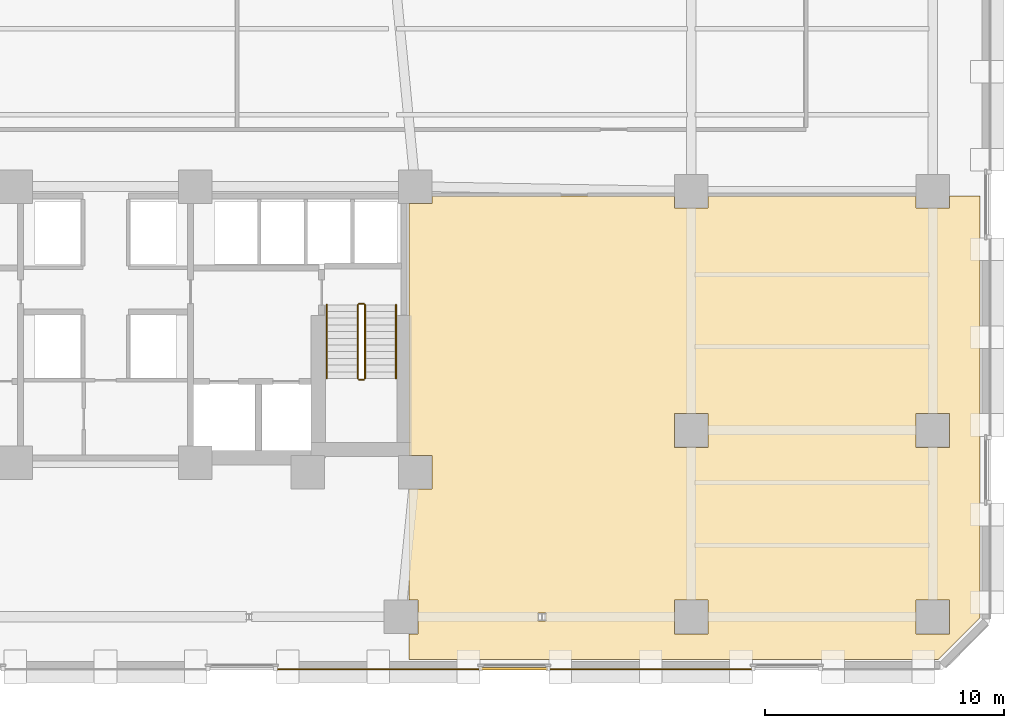
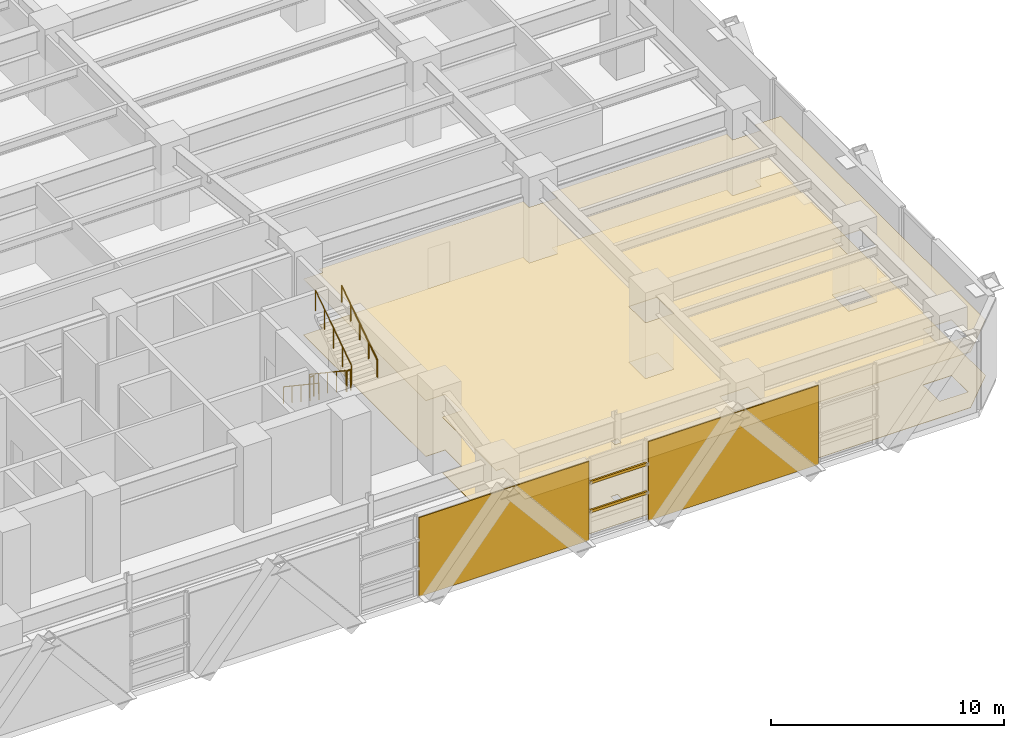
# One storey, part 22 of 26: 6 railings, 4 coverings, 2 shading devices.
"""IFC4 building model written with IfcOpenShell, lengths in metres."""

from ifc_helpers import new_model, si_unit, direction, frame, origin, origin_2d, place, context, subcontext, project, spatial, polyline, rectangle, circle, outline, extrude, material, layer, layer_set, material_profile, profile_set, type_object, element, save


model = new_model("IFC4")

# Units and contexts
model_context = context("Model", 3, precision=1e-05, world=origin(), true_north=direction((0.0, 1.0)))
body_context = subcontext(model_context, "Body", "Model", "MODEL_VIEW")
ifc_project = project(units=[si_unit("LENGTHUNIT", "METRE"), si_unit("AREAUNIT", "SQUARE_METRE"), si_unit("VOLUMEUNIT", "CUBIC_METRE"), si_unit("PLANEANGLEUNIT", "RADIAN"), si_unit("MASSUNIT", "GRAM", prefix="KILO")], contexts=[model_context])

# Site, building, storey
site_placement = place(None, origin())
site = spatial("IfcSite", under=ifc_project, at=site_placement, CompositionType="ELEMENT")
building_placement = place(site_placement, origin())
building = spatial("IfcBuilding", under=site, at=building_placement, Name="Quenlor Broadcast Tower", CompositionType="ELEMENT")
storey_placement = place(building_placement, frame((0.0, 0.0, 14.0)))
storey = spatial("IfcBuildingStorey", under=building, at=storey_placement, Name="L03", CompositionType="ELEMENT", Elevation=14.0)

# Covering
ifc_material_1 = material(Name="Acoustic Mineral Fibre Board", Category="other")
ifc_layer_1 = layer(ifc_material_1, 0.02490234375)
ifc_layer_set_1 = layer_set([ifc_layer_1], Name="Acoustic Perforated Mineral Tile Ceiling 25")
covering_type_1 = type_object("IfcCoveringType", Name="Acoustic Perforated Mineral Tile Ceiling 25", PredefinedType="CEILING", material=ifc_layer_set_1)
covering_1_placement = place(storey_placement, frame((0.0, 0.0, 2.925048828125)))
element("IfcCovering", 1, at=covering_1_placement, inside=storey, type_object=covering_type_1, Name="L03 Acoustic Ceiling L03-33", PredefinedType="CEILING", context=body_context, shape_type="SweptSolid", body=[
    extrude(outline(polyline([(12.699951171875, -24.580078125), (12.699951171875, -23.508056640625), (13.05810546875, -23.508056640625), (13.05810546875, -22.092041015625), (12.699951171875, -22.092041015625), (12.699951171875, -17.4580078125), (13.657958984375, -17.4580078125), (13.657958984375, -16.0419921875), (12.699951171875, -16.0419921875), (12.699951171875, -5.508056640625), (13.657958984375, -5.508056640625), (13.657958984375, -5.199951171875), (23.7919921875, -5.199951171875), (23.7919921875, -5.7080078125), (25.2080078125, -5.7080078125), (25.2080078125, -5.199951171875), (33.89208984375, -5.199951171875), (33.89208984375, -5.7080078125), (35.30810546875, -5.7080078125), (35.30810546875, -5.199951171875), (36.580078125, -5.199951171875), (36.580078125, -22.825927734375), (34.825927734375, -24.580078125), (12.699951171875, -24.580078125)]), holes=[polyline([(35.30810546875, -23.508056640625), (35.30810546875, -22.092041015625), (33.89208984375, -22.092041015625), (33.89208984375, -23.508056640625), (35.30810546875, -23.508056640625)]), polyline([(18.41259765625, -22.96826171875), (18.41259765625, -22.631591796875), (18.08740234375, -22.631591796875), (18.08740234375, -22.96826171875), (18.41259765625, -22.96826171875)]), polyline([(25.2080078125, -23.508056640625), (25.2080078125, -22.092041015625), (23.7919921875, -22.092041015625), (23.7919921875, -23.508056640625), (25.2080078125, -23.508056640625)]), polyline([(35.30810546875, -15.7080078125), (35.30810546875, -14.2919921875), (33.89208984375, -14.2919921875), (33.89208984375, -15.7080078125), (35.30810546875, -15.7080078125)]), polyline([(25.2080078125, -15.7080078125), (25.2080078125, -14.2919921875), (23.7919921875, -14.2919921875), (23.7919921875, -15.7080078125), (25.2080078125, -15.7080078125)])]), origin(), (0.0, 0.0, 1.0), 0.02490234375),
])

# Shading devices
ifc_material_2 = material(Name="Architectural Terracotta Ceramic", Category="masonry")
ifc_material_profile = material_profile(ifc_material_2, rectangle(XDim=0.090087890625, YDim=0.139892578125, at=origin_2d()))
ifc_profile_set = profile_set([ifc_material_profile], Name="Architectural Terracotta Ceramic BAG90x140")
shading_device_type = type_object("IfcShadingDeviceType", Name="Copper Terracotta Baguette Solar Screen 140", PredefinedType="USERDEFINED", material=ifc_profile_set)
for number, where, z_axis, x_axis, name in (
    (2, (18.509521484375, -24.972900390625, 1.511962890625), (-1.0, 0.0, 0.0), (0.0, -1.0, 0.0), "L03 Terracotta Baguette Screen 1"),
    (3, (18.509521484375, -24.972900390625, 3.02392578125), (-1.0, 0.0, 0.0), (0.0, -1.0, 0.0), "L03 Terracotta Baguette Screen 2"),
):
    element("IfcShadingDevice", number, at=place(storey_placement, frame(where, z_axis=z_axis, x_axis=x_axis)), inside=storey, type_object=shading_device_type, Name=name, ObjectType="BAGUETTE", PredefinedType="USERDEFINED", context=body_context, shape_type="SweptSolid", body=[
        extrude(rectangle(XDim=0.090087890625, YDim=0.139892578125, at=origin_2d()), origin(), (0.0, 0.0, 1.0), 2.819091796875),
    ])

# Coverings
ifc_material_3 = material(Name="Architectural Terracotta Ceramic", Category="masonry")
ifc_layer_2 = layer(ifc_material_3, 0.044921875)
ifc_layer_set_2 = layer_set([ifc_layer_2], Name="Fluted Terracotta Rainscreen Cladding Panel")
covering_type_2 = type_object("IfcCoveringType", Name="Fluted Terracotta Rainscreen Cladding Panel", PredefinedType="CLADDING", material=ifc_layer_set_2)
covering_2_placement = place(storey_placement, frame((0.0, 0.0, 0.02001953125)))
element("IfcCovering", 4, at=covering_2_placement, inside=storey, type_object=covering_type_2, Name="L03 Terracotta Rainscreen Cladding L03-S-FULL-SP2", PredefinedType="CLADDING", context=body_context, shape_type="SweptSolid", body=[
    extrude(outline(polyline([(27.01953125, -24.971923828125), (18.58056640625, -24.971923828125), (18.58056640625, -25.01708984375), (27.01953125, -25.01708984375), (27.01953125, -24.971923828125)])), origin(), (0.0, 0.0, 1.0), 4.159912109375),
])
covering_3_placement = place(storey_placement, frame((0.0, 0.0, 0.02001953125)))
element("IfcCovering", 5, at=covering_3_placement, inside=storey, type_object=covering_type_2, Name="L03 Terracotta Rainscreen Cladding L03-S-FULL-SP3", PredefinedType="CLADDING", context=body_context, shape_type="SweptSolid", body=[
    extrude(outline(polyline([(15.619384765625, -24.971923828125), (7.180419921875, -24.971923828125), (7.180419921875, -25.01708984375), (15.619384765625, -25.01708984375), (15.619384765625, -24.971923828125)])), origin(), (0.0, 0.0, 1.0), 4.159912109375),
])
ifc_material_4 = material(Name="Terrazzo Stone Finish", Category="masonry")
ifc_layer_3 = layer(ifc_material_4, 0.02001953125)
ifc_layer_set_3 = layer_set([ifc_layer_3], Name="Polished Sandstone Terrazzo Flooring 20")
covering_type_3 = type_object("IfcCoveringType", Name="Polished Sandstone Terrazzo Flooring 20", PredefinedType="FLOORING", material=ifc_layer_set_3)
covering_4_placement = place(storey_placement, origin())
element("IfcCovering", 6, at=covering_4_placement, inside=storey, type_object=covering_type_3, Name="L03 Terrazzo Flooring L03-33", PredefinedType="FLOORING", context=body_context, shape_type="SweptSolid", body=[
    extrude(outline(polyline([(12.699951171875, -24.580078125), (12.699951171875, -23.508056640625), (13.05810546875, -23.508056640625), (13.05810546875, -22.092041015625), (12.699951171875, -22.092041015625), (12.699951171875, -17.4580078125), (13.657958984375, -17.4580078125), (13.657958984375, -16.0419921875), (12.699951171875, -16.0419921875), (12.699951171875, -5.508056640625), (13.657958984375, -5.508056640625), (13.657958984375, -5.199951171875), (23.7919921875, -5.199951171875), (23.7919921875, -5.7080078125), (25.2080078125, -5.7080078125), (25.2080078125, -5.199951171875), (33.89208984375, -5.199951171875), (33.89208984375, -5.7080078125), (35.30810546875, -5.7080078125), (35.30810546875, -5.199951171875), (36.580078125, -5.199951171875), (36.580078125, -22.825927734375), (34.825927734375, -24.580078125), (12.699951171875, -24.580078125)]), holes=[polyline([(35.30810546875, -23.508056640625), (35.30810546875, -22.092041015625), (33.89208984375, -22.092041015625), (33.89208984375, -23.508056640625), (35.30810546875, -23.508056640625)]), polyline([(18.41259765625, -22.96826171875), (18.41259765625, -22.631591796875), (18.08740234375, -22.631591796875), (18.08740234375, -22.96826171875), (18.41259765625, -22.96826171875)]), polyline([(25.2080078125, -23.508056640625), (25.2080078125, -22.092041015625), (23.7919921875, -22.092041015625), (23.7919921875, -23.508056640625), (25.2080078125, -23.508056640625)]), polyline([(35.30810546875, -15.7080078125), (35.30810546875, -14.2919921875), (33.89208984375, -14.2919921875), (33.89208984375, -15.7080078125), (35.30810546875, -15.7080078125)]), polyline([(25.2080078125, -15.7080078125), (25.2080078125, -14.2919921875), (23.7919921875, -14.2919921875), (23.7919921875, -15.7080078125), (25.2080078125, -15.7080078125)])]), origin(), (0.0, 0.0, 1.0), 0.02001953125),
])

# Railings
ifc_material_5 = material(Name="Anodised Aluminium", Category="aluminium")
railing_type_1 = type_object("IfcRailingType", Name="Stainless Aluminium Wall Handrail 900", PredefinedType="HANDRAIL", material=ifc_material_5)
railing_1_placement = place(storey_placement, frame((9.25, -9.75, 0.1875)))
element("IfcRailing", 7, at=railing_1_placement, inside=storey, type_object=railing_type_1, Name="L03 ST-2 stair handrail 1", PredefinedType="HANDRAIL", context=body_context, shape_type="SweptSolid", body=[
    extrude(circle(Radius=0.02392578125, at=origin_2d()), frame((0.0, 0.0, 0.8759765625), z_axis=(0.0, -0.830913701846, 0.55640131208), x_axis=(1.0, 0.0, 0.0)), (0.0, 0.0, 1.0), 3.706787109375),
    extrude(circle(Radius=0.02099609375, at=origin_2d()), origin(), (0.0, 0.0, 1.0), 0.851806640625),
    extrude(circle(Radius=0.02099609375, at=origin_2d()), frame((0.0, -0.77001953125, 0.515625)), (0.0, 0.0, 1.0), 0.851806640625),
    extrude(circle(Radius=0.02099609375, at=origin_2d()), frame((0.0, -1.5400390625, 1.03125)), (0.0, 0.0, 1.0), 0.851806640625),
    extrude(circle(Radius=0.02099609375, at=origin_2d()), frame((0.0, -2.31005859375, 1.546875)), (0.0, 0.0, 1.0), 0.851806640625),
    extrude(circle(Radius=0.02099609375, at=origin_2d()), frame((0.0, -3.080078125, 2.0625)), (0.0, 0.0, 1.0), 0.851806640625),
])
railing_2_placement = place(storey_placement, frame((12.14990234375, -12.830078125, 2.4375)))
element("IfcRailing", 8, at=railing_2_placement, inside=storey, type_object=railing_type_1, Name="L03 ST-2 stair handrail 2", PredefinedType="HANDRAIL", context=body_context, shape_type="SweptSolid", body=[
    extrude(circle(Radius=0.02392578125, at=origin_2d()), frame((0.0, 0.0, 0.8759765625), z_axis=(0.0, 0.830913701846, 0.55640131208), x_axis=(-1.0, 0.0, 0.0)), (0.0, 0.0, 1.0), 3.706787109375),
    extrude(circle(Radius=0.02099609375, at=origin_2d()), origin(), (0.0, 0.0, 1.0), 0.851806640625),
    extrude(circle(Radius=0.02099609375, at=origin_2d()), frame((0.0, 0.77001953125, 0.515625)), (0.0, 0.0, 1.0), 0.851806640625),
    extrude(circle(Radius=0.02099609375, at=origin_2d()), frame((0.0, 1.5400390625, 1.03125)), (0.0, 0.0, 1.0), 0.851806640625),
    extrude(circle(Radius=0.02099609375, at=origin_2d()), frame((0.0, 2.31005859375, 1.546875)), (0.0, 0.0, 1.0), 0.851806640625),
    extrude(circle(Radius=0.02099609375, at=origin_2d()), frame((0.0, 3.080078125, 2.0625)), (0.0, 0.0, 1.0), 0.851806640625),
])
ifc_material_6 = material(Name="Steel S355", Category="steel")
railing_type_2 = type_object("IfcRailingType", Name="Tubular Steel S355 Stair Guardrail 1100", PredefinedType="BALUSTRADE", material=ifc_material_6)
railing_3_placement = place(storey_placement, frame((10.550048828125, -9.75, 0.1875)))
element("IfcRailing", 9, at=railing_3_placement, inside=storey, type_object=railing_type_2, Name="L03 ST-2 stair guard 1", PredefinedType="BALUSTRADE", context=body_context, shape_type="SweptSolid", body=[
    extrude(circle(Radius=0.02392578125, at=origin_2d()), frame((0.0, 0.0, 1.076171875), z_axis=(0.0, -0.830913701846, 0.55640131208), x_axis=(1.0, 0.0, 0.0)), (0.0, 0.0, 1.0), 3.706787109375),
    extrude(circle(Radius=0.02099609375, at=origin_2d()), origin(), (0.0, 0.0, 1.0), 1.052001953125),
    extrude(circle(Radius=0.02099609375, at=origin_2d()), frame((0.0, -0.77001953125, 0.515625)), (0.0, 0.0, 1.0), 1.052001953125),
    extrude(circle(Radius=0.02099609375, at=origin_2d()), frame((0.0, -1.5400390625, 1.03125)), (0.0, 0.0, 1.0), 1.052001953125),
    extrude(circle(Radius=0.02099609375, at=origin_2d()), frame((0.0, -2.31005859375, 1.546875)), (0.0, 0.0, 1.0), 1.052001953125),
    extrude(circle(Radius=0.02099609375, at=origin_2d()), frame((0.0, -3.080078125, 2.0625)), (0.0, 0.0, 1.0), 1.052001953125),
])
railing_4_placement = place(storey_placement, frame((10.60009765625, -12.8798828125, 2.25)))
element("IfcRailing", 10, at=railing_4_placement, inside=storey, type_object=railing_type_2, Name="L03 ST-2 stair guard 2", PredefinedType="BALUSTRADE", context=body_context, shape_type="SweptSolid", body=[
    extrude(circle(Radius=0.02392578125, at=origin_2d()), frame((0.0, 0.0, 1.076171875), z_axis=(1.0, 0.0, 0.0), x_axis=(0.0, 1.0, 0.0)), (0.0, 0.0, 1.0), 0.199951171875),
    extrude(circle(Radius=0.02099609375, at=origin_2d()), origin(), (0.0, 0.0, 1.0), 1.052001953125),
    extrude(circle(Radius=0.02099609375, at=origin_2d()), frame((0.199951171875, 0.0, 0.0)), (0.0, 0.0, 1.0), 1.052001953125),
])
railing_5_placement = place(storey_placement, frame((10.85009765625, -12.830078125, 2.4375)))
element("IfcRailing", 11, at=railing_5_placement, inside=storey, type_object=railing_type_2, Name="L03 ST-2 stair guard 3", PredefinedType="BALUSTRADE", context=body_context, shape_type="SweptSolid", body=[
    extrude(circle(Radius=0.02392578125, at=origin_2d()), frame((0.0, 0.0, 1.076171875), z_axis=(0.0, 0.830913701846, 0.55640131208), x_axis=(-1.0, 0.0, 0.0)), (0.0, 0.0, 1.0), 3.706787109375),
    extrude(circle(Radius=0.02099609375, at=origin_2d()), origin(), (0.0, 0.0, 1.0), 1.052001953125),
    extrude(circle(Radius=0.02099609375, at=origin_2d()), frame((0.0, 0.77001953125, 0.515625)), (0.0, 0.0, 1.0), 1.052001953125),
    extrude(circle(Radius=0.02099609375, at=origin_2d()), frame((0.0, 1.5400390625, 1.03125)), (0.0, 0.0, 1.0), 1.052001953125),
    extrude(circle(Radius=0.02099609375, at=origin_2d()), frame((0.0, 2.31005859375, 1.546875)), (0.0, 0.0, 1.0), 1.052001953125),
    extrude(circle(Radius=0.02099609375, at=origin_2d()), frame((0.0, 3.080078125, 2.0625)), (0.0, 0.0, 1.0), 1.052001953125),
])
railing_6_placement = place(storey_placement, frame((10.60009765625, -9.699951171875, 0.0)))
element("IfcRailing", 12, at=railing_6_placement, inside=storey, type_object=railing_type_2, Name="L03 ST-2 stair guard 4", PredefinedType="BALUSTRADE", context=body_context, shape_type="SweptSolid", body=[
    extrude(circle(Radius=0.02392578125, at=origin_2d()), frame((0.0, 0.0, 1.076171875), z_axis=(1.0, 0.0, 0.0), x_axis=(0.0, 1.0, 0.0)), (0.0, 0.0, 1.0), 0.199951171875),
    extrude(circle(Radius=0.02099609375, at=origin_2d()), origin(), (0.0, 0.0, 1.0), 1.052001953125),
    extrude(circle(Radius=0.02099609375, at=origin_2d()), frame((0.199951171875, 0.0, 0.0)), (0.0, 0.0, 1.0), 1.052001953125),
])

save(model, "model.ifc")
